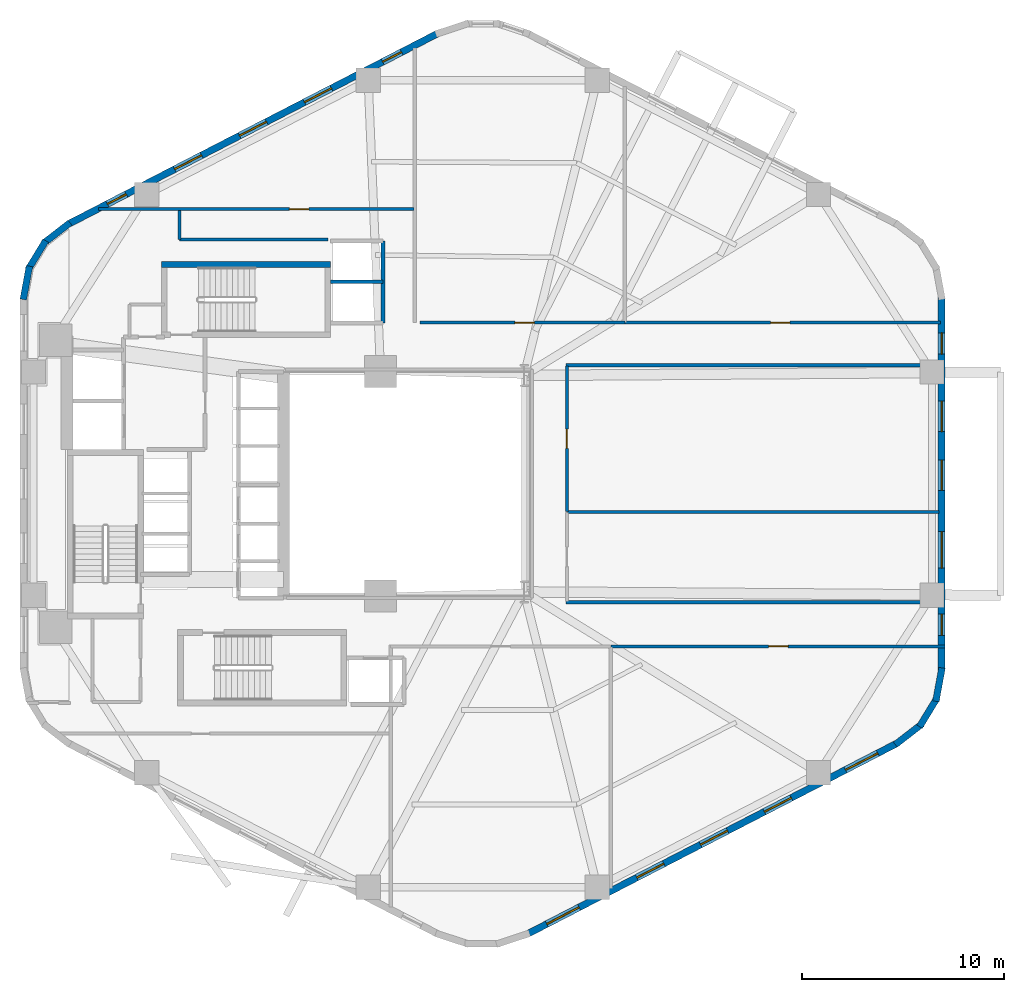
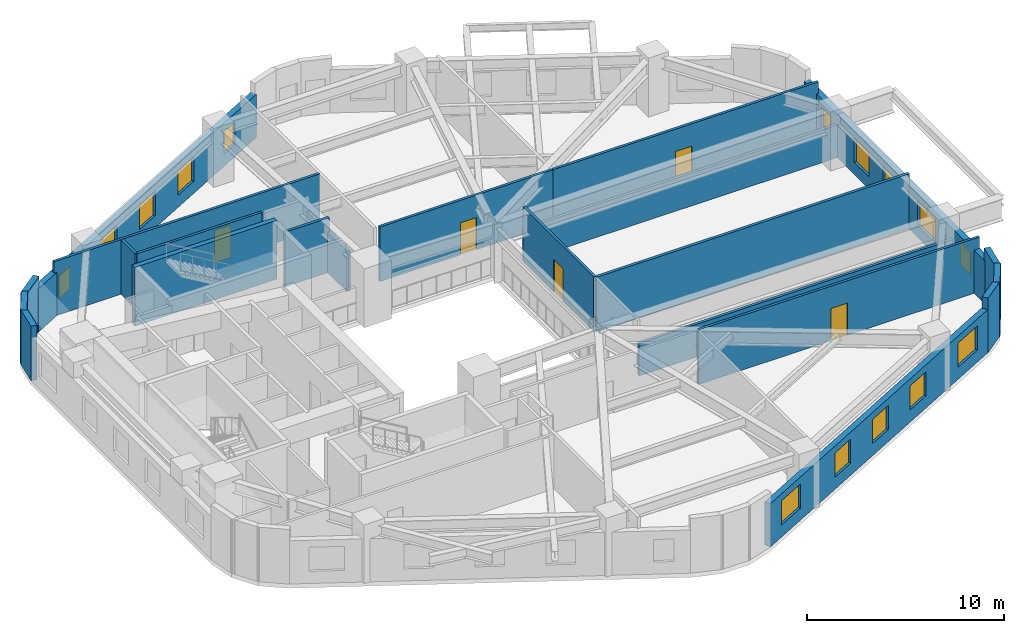
# One storey, part 4 of 6: 22 walls, 15 windows, 5 doors, 20 openings.
"""IFC4 building model written with IfcOpenShell, lengths in metres."""

from ifc_helpers import new_model, si_unit, direction, frame, frame_2d, origin, place, context, subcontext, project, spatial, rectangle, extrude, material, layer, layer_set, type_object, element, fill, save


model = new_model("IFC4")

# Units and contexts
model_context = context("Model", 3, precision=1e-05, world=origin(), true_north=direction((0.0, 1.0)))
body_context = subcontext(model_context, "Body", "Model", "MODEL_VIEW")
ifc_project = project(units=[si_unit("LENGTHUNIT", "METRE"), si_unit("AREAUNIT", "SQUARE_METRE"), si_unit("VOLUMEUNIT", "CUBIC_METRE"), si_unit("PLANEANGLEUNIT", "RADIAN"), si_unit("MASSUNIT", "GRAM", prefix="KILO"), si_unit("THERMODYNAMICTEMPERATUREUNIT", "KELVIN"), si_unit("POWERUNIT", "WATT")], contexts=[model_context])

# Site, building, storey
site_placement = place(None, origin())
site = spatial("IfcSite", under=ifc_project, at=site_placement, CompositionType="ELEMENT")
building_placement = place(site_placement, origin())
building = spatial("IfcBuilding", under=site, at=building_placement, Name="Skarre Station Tower", CompositionType="ELEMENT")
storey_placement = place(building_placement, frame((0.0, 0.0, 34.300048828125)))
storey = spatial("IfcBuildingStorey", under=building, at=storey_placement, Name="L08", CompositionType="ELEMENT", Elevation=34.300048828125)

# Wall, opening, door
ifc_material_1 = material(Name="Acoustic Steel-Stud Gypsum Partition", Category="steel")
ifc_layer_1 = layer(ifc_material_1, 0.14990234375, Name="Acoustic Steel-Stud Gypsum Partition")
ifc_layer_set_1 = layer_set([ifc_layer_1], Name="Acoustic Steel-Stud Gypsum Partition")
wall_type_1 = type_object("IfcWallType", Name="Fire-Rated Corridor Acoustic Partition 150", PredefinedType="PARTITIONING", material=ifc_layer_set_1)
wall_1_placement = place(storey_placement, frame((34.0, 37.580078125, 0.0), z_axis=(0.0, 0.0, 1.0), x_axis=(-1.0, 0.0, 0.0)))
wall_1 = element("IfcWall", 1, at=wall_1_placement, inside=storey, type_object=wall_type_1, Name="L08 Interior Partition WL-PT-L08-NWW1-CW", PredefinedType="PARTITIONING", context=body_context, shape_type="SweptSolid", body=[
    extrude(rectangle(XDim=15.60009765625, YDim=0.14990234375, at=frame_2d((7.800048828125, 0.0))), origin(), (0.0, 0.0, 1.0), 3.389892578125),
])
opening_1_placement = place(wall_1_placement, frame((5.195068359375, 0.0, 0.0)))
opening_1 = element("IfcOpeningElement", 2, at=opening_1_placement, cuts=wall_1, Name="Opening DR-FD60", PredefinedType="OPENING", context=body_context, shape_type="SweptSolid", body=[
    extrude(rectangle(XDim=0.9599609375, YDim=2.0, at=frame_2d((0.47998046875, 1.0))), frame((0.0, 0.0849609375, 0.0), z_axis=(0.0, -1.0, 0.0), x_axis=(1.0, 0.0, 0.0)), (0.0, 0.0, 1.0), 0.169921875),
])
ifc_material_2 = material(Name="Nordic White-Oak Veneer Solid-Core Fire Leaf", Category="wood")
door_type = type_object("IfcDoorType", Name="Corridor Suite Entry Fire Door FD60 960x2150", OperationType="SINGLE_SWING_LEFT", PredefinedType="DOOR", material=ifc_material_2)
door_1_placement = place(opening_1_placement, origin())
door_1 = element("IfcDoor", 3, at=door_1_placement, inside=storey, type_object=door_type, Name="L08 NWW1 Entry Door", OperationType="SINGLE_SWING_LEFT", OverallHeight=2.0, OverallWidth=0.9599609375, PredefinedType="DOOR", context=body_context, shape_type="SweptSolid", body=[
    extrude(rectangle(XDim=0.9599609375, YDim=2.0, at=frame_2d((0.47998046875, 1.0))), frame((0.0, 0.02490234375, 0.0), z_axis=(0.0, -1.0, 0.0), x_axis=(1.0, 0.0, 0.0)), (0.0, 0.0, 1.0), 0.050048828125),
])
fill(opening_1, door_1)

wall_2_placement = place(storey_placement, frame((44.427978515625, 31.9599609375, 0.0), z_axis=(0.0, 0.0, 1.0), x_axis=(-1.0, 0.0, 0.0)))
wall_2 = element("IfcWall", 4, at=wall_2_placement, inside=storey, type_object=wall_type_1, Name="L08 Interior Partition WL-PT-L08-NW1-CW", PredefinedType="PARTITIONING", context=body_context, shape_type="SweptSolid", body=[
    extrude(rectangle(XDim=10.137939453125, YDim=0.14990234375, at=frame_2d((5.06884765625, 0.0))), origin(), (0.0, 0.0, 1.0), 3.389892578125),
])
opening_2_placement = place(wall_2_placement, frame((4.469970703125, 0.0, 0.0)))
opening_2 = element("IfcOpeningElement", 5, at=opening_2_placement, cuts=wall_2, Name="Opening DR-FD60", PredefinedType="OPENING", context=body_context, shape_type="SweptSolid", body=[
    extrude(rectangle(XDim=0.9599609375, YDim=2.0, at=frame_2d((0.47998046875, 1.0))), frame((0.0, 0.0849609375, 0.0), z_axis=(0.0, -1.0, 0.0), x_axis=(1.0, 0.0, 0.0)), (0.0, 0.0, 1.0), 0.169921875),
])
door_2_placement = place(opening_2_placement, origin())
door_2 = element("IfcDoor", 6, at=door_2_placement, inside=storey, type_object=door_type, Name="L08 NW1 Entry Door", OperationType="SINGLE_SWING_LEFT", OverallHeight=2.0, OverallWidth=0.9599609375, PredefinedType="DOOR", context=body_context, shape_type="SweptSolid", body=[
    extrude(rectangle(XDim=0.9599609375, YDim=2.0, at=frame_2d((0.47998046875, 1.0))), frame((0.0, 0.02490234375, 0.0), z_axis=(0.0, -1.0, 0.0), x_axis=(1.0, 0.0, 0.0)), (0.0, 0.0, 1.0), 0.050048828125),
])
fill(opening_2, door_2)

wall_3_placement = place(storey_placement, frame((60.031982421875, 31.9599609375, 0.0), z_axis=(0.0, 0.0, 1.0), x_axis=(-1.0, 0.0, 0.0)))
wall_3 = element("IfcWall", 7, at=wall_3_placement, inside=storey, type_object=wall_type_1, Name="L08 Interior Partition WL-PT-L08-NW2-CW", PredefinedType="PARTITIONING", context=body_context, shape_type="SweptSolid", body=[
    extrude(rectangle(XDim=15.593994140625, YDim=0.14990234375, at=frame_2d((7.796875, 0.0))), origin(), (0.0, 0.0, 1.0), 3.389892578125),
])
opening_3_placement = place(wall_3_placement, frame((7.43701171875, 0.0, 0.0)))
opening_3 = element("IfcOpeningElement", 8, at=opening_3_placement, cuts=wall_3, Name="Opening DR-FD60", PredefinedType="OPENING", context=body_context, shape_type="SweptSolid", body=[
    extrude(rectangle(XDim=0.9599609375, YDim=2.0, at=frame_2d((0.47998046875, 1.0))), frame((0.0, 0.0849609375, 0.0), z_axis=(0.0, -1.0, 0.0), x_axis=(1.0, 0.0, 0.0)), (0.0, 0.0, 1.0), 0.169921875),
])
door_3_placement = place(opening_3_placement, origin())
door_3 = element("IfcDoor", 9, at=door_3_placement, inside=storey, type_object=door_type, Name="L08 NW2 Entry Door", OperationType="SINGLE_SWING_LEFT", OverallHeight=2.0, OverallWidth=0.9599609375, PredefinedType="DOOR", context=body_context, shape_type="SweptSolid", body=[
    extrude(rectangle(XDim=0.9599609375, YDim=2.0, at=frame_2d((0.47998046875, 1.0))), frame((0.0, 0.02490234375, 0.0), z_axis=(0.0, -1.0, 0.0), x_axis=(1.0, 0.0, 0.0)), (0.0, 0.0, 1.0), 0.050048828125),
])
fill(opening_3, door_3)

wall_4_placement = place(storey_placement, frame((41.56005859375, 22.62109375, 0.0), z_axis=(0.0, 0.0, 1.0), x_axis=(0.0, 1.0, 0.0)))
wall_4 = element("IfcWall", 10, at=wall_4_placement, inside=storey, type_object=wall_type_1, Name="L08 Interior Partition WL-PT-L08-EW2-CW", PredefinedType="PARTITIONING", context=body_context, shape_type="SweptSolid", body=[
    extrude(rectangle(XDim=7.198974609375, YDim=0.14990234375, at=frame_2d((3.599609375, 0.0))), origin(), (0.0, 0.0, 1.0), 3.389892578125),
])
opening_4_placement = place(wall_4_placement, frame((3.1201171875, 0.0, 0.0)))
opening_4 = element("IfcOpeningElement", 11, at=opening_4_placement, cuts=wall_4, Name="Opening DR-FD60", PredefinedType="OPENING", context=body_context, shape_type="SweptSolid", body=[
    extrude(rectangle(XDim=0.9599609375, YDim=2.0, at=frame_2d((0.47998046875, 1.0))), frame((0.0, 0.0849609375, 0.0), z_axis=(0.0, -1.0, 0.0), x_axis=(1.0, 0.0, 0.0)), (0.0, 0.0, 1.0), 0.169921875),
])
door_4_placement = place(opening_4_placement, origin())
door_4 = element("IfcDoor", 12, at=door_4_placement, inside=storey, type_object=door_type, Name="L08 EW2 Entry Door", OperationType="SINGLE_SWING_LEFT", OverallHeight=2.0, OverallWidth=0.9599609375, PredefinedType="DOOR", context=body_context, shape_type="SweptSolid", body=[
    extrude(rectangle(XDim=0.9599609375, YDim=2.0, at=frame_2d((0.47998046875, 1.0))), frame((0.0, 0.02490234375, 0.0), z_axis=(0.0, -1.0, 0.0), x_axis=(1.0, 0.0, 0.0)), (0.0, 0.0, 1.0), 0.050048828125),
])
fill(opening_4, door_4)

wall_5_placement = place(storey_placement, frame((43.7548828125, 15.9599609375, 0.0), z_axis=(0.0, 0.0, 1.0), x_axis=(1.0, 0.0, 0.0)))
wall_5 = element("IfcWall", 13, at=wall_5_placement, inside=storey, type_object=wall_type_1, Name="L08 Interior Partition WL-PT-L08-SW2-CW", PredefinedType="PARTITIONING", context=body_context, shape_type="SweptSolid", body=[
    extrude(rectangle(XDim=16.498046875, YDim=0.14990234375, at=frame_2d((8.2490234375, 0.0))), origin(), (0.0, 0.0, 1.0), 3.389892578125),
])
opening_5_placement = place(wall_5_placement, frame((7.782958984375, 0.0, 0.0)))
opening_5 = element("IfcOpeningElement", 14, at=opening_5_placement, cuts=wall_5, Name="Opening DR-FD60", PredefinedType="OPENING", context=body_context, shape_type="SweptSolid", body=[
    extrude(rectangle(XDim=0.9599609375, YDim=2.0, at=frame_2d((0.47998046875, 1.0))), frame((0.0, 0.0849609375, 0.0), z_axis=(0.0, -1.0, 0.0), x_axis=(1.0, 0.0, 0.0)), (0.0, 0.0, 1.0), 0.169921875),
])
door_5_placement = place(opening_5_placement, origin())
door_5 = element("IfcDoor", 15, at=door_5_placement, inside=storey, type_object=door_type, Name="L08 SW2 Entry Door", OperationType="SINGLE_SWING_LEFT", OverallHeight=2.0, OverallWidth=0.9599609375, PredefinedType="DOOR", context=body_context, shape_type="SweptSolid", body=[
    extrude(rectangle(XDim=0.9599609375, YDim=2.0, at=frame_2d((0.47998046875, 1.0))), frame((0.0, 0.02490234375, 0.0), z_axis=(0.0, -1.0, 0.0), x_axis=(1.0, 0.0, 0.0)), (0.0, 0.0, 1.0), 0.050048828125),
])
fill(opening_5, door_5)

# Walls
wall_6_placement = place(storey_placement, frame((29.7529296875, 36.080078125, 0.0), z_axis=(0.0, 0.0, 1.0), x_axis=(-1.0, 0.0, 0.0)))
element("IfcWall", 16, at=wall_6_placement, inside=storey, type_object=wall_type_1, Name="L08 Interior Partition WL-PT-L08-CSEAL-1", PredefinedType="PARTITIONING", context=body_context, shape_type="SweptSolid", body=[
    extrude(rectangle(XDim=7.35302734375, YDim=0.14990234375, at=frame_2d((3.676513671875, 0.0))), origin(), (0.0, 0.0, 1.0), 3.389892578125),
])
wall_7_placement = place(storey_placement, frame((22.39990234375, 36.080078125, 0.0), z_axis=(0.0, 0.0, 1.0), x_axis=(0.0, 1.0, 0.0)))
element("IfcWall", 17, at=wall_7_placement, inside=storey, type_object=wall_type_1, Name="L08 Interior Partition WL-PT-L08-CSEAL-2", PredefinedType="PARTITIONING", context=body_context, shape_type="SweptSolid", body=[
    extrude(rectangle(XDim=1.429931640625, YDim=0.14990234375, at=frame_2d((0.71484375, 0.0))), origin(), (0.0, 0.0, 1.0), 3.389892578125),
])

# Wall, openings, windows
ifc_material_3 = material(Name="Precast concrete C45/55", Category="concrete")
ifc_layer_2 = layer(ifc_material_3, 0.340087890625, Name="Precast concrete C45/55")
ifc_layer_set_2 = layer_set([ifc_layer_2], Name="Precast concrete C45/55")
wall_type_2 = type_object("IfcWallType", Name="Nordic Honed Precast Facet Wall 340", PredefinedType="STANDARD", material=ifc_layer_set_2)
wall_8_placement = place(storey_placement, frame((16.924072265625, 36.841064453125, 0.0), z_axis=(0.0, 0.0, 1.0), x_axis=(0.888634413993, 0.458616264721, 0.0)))
wall_8 = element("IfcWall", 18, at=wall_8_placement, inside=storey, type_object=wall_type_2, Name="L08 Facet 1 Nordic Precast Masonry Wall", PredefinedType="STANDARD", context=body_context, shape_type="SweptSolid", body=[
    extrude(rectangle(XDim=20.53125, YDim=0.340087890625, at=frame_2d((10.265625, 0.0))), origin(), (0.0, 0.0, 1.0), 2.683837890625),
])
opening_6_placement = place(wall_8_placement, frame((2.160888671875, 0.0, 0.75)))
opening_6 = element("IfcOpeningElement", 19, at=opening_6_placement, cuts=wall_8, Name="Opening WN-SLT", PredefinedType="OPENING", context=body_context, shape_type="SweptSolid", body=[
    extrude(rectangle(XDim=1.050048828125, YDim=1.39990234375, at=frame_2d((0.52490234375, 0.699951171875))), frame((0.0, 0.179931640625, 0.0), z_axis=(0.0, -1.0, 0.0), x_axis=(1.0, 0.0, 0.0)), (0.0, 0.0, 1.0), 0.360107421875),
])
opening_7_placement = place(wall_8_placement, frame((5.903076171875, 0.0, 0.75)))
opening_7 = element("IfcOpeningElement", 20, at=opening_7_placement, cuts=wall_8, Name="Opening WN-Z1B", PredefinedType="OPENING", context=body_context, shape_type="SweptSolid", body=[
    extrude(rectangle(XDim=1.5, YDim=1.5, at=frame_2d((0.75, 0.75))), frame((0.0, 0.179931640625, 0.0), z_axis=(0.0, -1.0, 0.0), x_axis=(1.0, 0.0, 0.0)), (0.0, 0.0, 1.0), 0.360107421875),
])
opening_8_placement = place(wall_8_placement, frame((9.51611328125, 0.0, 0.75)))
opening_8 = element("IfcOpeningElement", 21, at=opening_8_placement, cuts=wall_8, Name="Opening WN-Z1B", PredefinedType="OPENING", context=body_context, shape_type="SweptSolid", body=[
    extrude(rectangle(XDim=1.5, YDim=1.5, at=frame_2d((0.75, 0.75))), frame((0.0, 0.179931640625, 0.0), z_axis=(0.0, -1.0, 0.0), x_axis=(1.0, 0.0, 0.0)), (0.0, 0.0, 1.0), 0.360107421875),
])
opening_9_placement = place(wall_8_placement, frame((13.12890625, 0.0, 0.75)))
opening_9 = element("IfcOpeningElement", 22, at=opening_9_placement, cuts=wall_8, Name="Opening WN-Z1B", PredefinedType="OPENING", context=body_context, shape_type="SweptSolid", body=[
    extrude(rectangle(XDim=1.5, YDim=1.5, at=frame_2d((0.75, 0.75))), frame((0.0, 0.179931640625, 0.0), z_axis=(0.0, -1.0, 0.0), x_axis=(1.0, 0.0, 0.0)), (0.0, 0.0, 1.0), 0.360107421875),
])
opening_10_placement = place(wall_8_placement, frame((17.47607421875, 0.0, 0.75)))
opening_10 = element("IfcOpeningElement", 23, at=opening_10_placement, cuts=wall_8, Name="Opening WN-SLT", PredefinedType="OPENING", context=body_context, shape_type="SweptSolid", body=[
    extrude(rectangle(XDim=1.050048828125, YDim=1.39990234375, at=frame_2d((0.52490234375, 0.699951171875))), frame((0.0, 0.179931640625, 0.0), z_axis=(0.0, -1.0, 0.0), x_axis=(1.0, 0.0, 0.0)), (0.0, 0.0, 1.0), 0.360107421875),
])
ifc_material_4 = material(Name="Low-Iron Triple Glazing with Bronze Anodized Frame", Category="glass")
window_type_1 = type_object("IfcWindowType", Name="Nordic Corner Slot Window 1050x1400", PartitioningType="SINGLE_PANEL", PredefinedType="WINDOW", material=ifc_material_4)
window_1_placement = place(opening_6_placement, origin())
window_1 = element("IfcWindow", 24, at=window_1_placement, inside=storey, type_object=window_type_1, Name="L08 Facade Window WL-FAC-L08-F1-1", OverallHeight=1.39990234375, OverallWidth=1.050048828125, PartitioningType="SINGLE_PANEL", PredefinedType="WINDOW", context=body_context, shape_type="SweptSolid", body=[
    extrude(rectangle(XDim=1.050048828125, YDim=1.39990234375, at=frame_2d((0.52490234375, 0.699951171875))), frame((0.0, 0.030029296875, 0.0), z_axis=(0.0, -1.0, 0.0), x_axis=(1.0, 0.0, 0.0)), (0.0, 0.0, 1.0), 0.06005859375),
])
fill(opening_6, window_1)
window_2_placement = place(opening_10_placement, origin())
window_2 = element("IfcWindow", 25, at=window_2_placement, inside=storey, type_object=window_type_1, Name="L08 Facade Window WL-FAC-L08-F1-5", OverallHeight=1.39990234375, OverallWidth=1.050048828125, PartitioningType="SINGLE_PANEL", PredefinedType="WINDOW", context=body_context, shape_type="SweptSolid", body=[
    extrude(rectangle(XDim=1.050048828125, YDim=1.39990234375, at=frame_2d((0.52490234375, 0.699951171875))), frame((0.0, 0.030029296875, 0.0), z_axis=(0.0, -1.0, 0.0), x_axis=(1.0, 0.0, 0.0)), (0.0, 0.0, 1.0), 0.06005859375),
])
fill(opening_10, window_2)
window_type_2 = type_object("IfcWindowType", Name="Nordic Punched Triple-Glazed Window 1500x1500", PartitioningType="SINGLE_PANEL", PredefinedType="WINDOW", material=ifc_material_4)
window_3_placement = place(opening_7_placement, origin())
window_3 = element("IfcWindow", 26, at=window_3_placement, inside=storey, type_object=window_type_2, Name="L08 Facade Window WL-FAC-L08-F1-2", OverallHeight=1.5, OverallWidth=1.5, PartitioningType="SINGLE_PANEL", PredefinedType="WINDOW", context=body_context, shape_type="SweptSolid", body=[
    extrude(rectangle(XDim=1.5, YDim=1.5, at=frame_2d((0.75, 0.75))), frame((0.0, 0.030029296875, 0.0), z_axis=(0.0, -1.0, 0.0), x_axis=(1.0, 0.0, 0.0)), (0.0, 0.0, 1.0), 0.06005859375),
])
fill(opening_7, window_3)
window_4_placement = place(opening_8_placement, origin())
window_4 = element("IfcWindow", 27, at=window_4_placement, inside=storey, type_object=window_type_2, Name="L08 Facade Window WL-FAC-L08-F1-3", OverallHeight=1.5, OverallWidth=1.5, PartitioningType="SINGLE_PANEL", PredefinedType="WINDOW", context=body_context, shape_type="SweptSolid", body=[
    extrude(rectangle(XDim=1.5, YDim=1.5, at=frame_2d((0.75, 0.75))), frame((0.0, 0.030029296875, 0.0), z_axis=(0.0, -1.0, 0.0), x_axis=(1.0, 0.0, 0.0)), (0.0, 0.0, 1.0), 0.06005859375),
])
fill(opening_8, window_4)
window_5_placement = place(opening_9_placement, origin())
window_5 = element("IfcWindow", 28, at=window_5_placement, inside=storey, type_object=window_type_2, Name="L08 Facade Window WL-FAC-L08-F1-4", OverallHeight=1.5, OverallWidth=1.5, PartitioningType="SINGLE_PANEL", PredefinedType="WINDOW", context=body_context, shape_type="SweptSolid", body=[
    extrude(rectangle(XDim=1.5, YDim=1.5, at=frame_2d((0.75, 0.75))), frame((0.0, 0.030029296875, 0.0), z_axis=(0.0, -1.0, 0.0), x_axis=(1.0, 0.0, 0.0)), (0.0, 0.0, 1.0), 0.06005859375),
])
fill(opening_9, window_5)

wall_9_placement = place(storey_placement, frame((57.8759765625, 11.158935546875, 0.0), z_axis=(0.0, 0.0, 1.0), x_axis=(-0.888634413993, -0.458616264721, 0.0)))
wall_9 = element("IfcWall", 29, at=wall_9_placement, inside=storey, type_object=wall_type_2, Name="L08 Facet 4 Nordic Precast Masonry Wall", PredefinedType="STANDARD", context=body_context, shape_type="SweptSolid", body=[
    extrude(rectangle(XDim=20.53125, YDim=0.340087890625, at=frame_2d((10.265625, 0.0))), origin(), (0.0, 0.0, 1.0), 2.683837890625),
])
opening_11_placement = place(wall_9_placement, frame((1.05810546875, 0.0, 0.75)))
opening_11 = element("IfcOpeningElement", 30, at=opening_11_placement, cuts=wall_9, Name="Opening WN-Z1A", PredefinedType="OPENING", context=body_context, shape_type="SweptSolid", body=[
    extrude(rectangle(XDim=1.800048828125, YDim=1.5, at=frame_2d((0.89990234375, 0.75))), frame((0.0, 0.179931640625, 0.0), z_axis=(0.0, -1.0, 0.0), x_axis=(1.0, 0.0, 0.0)), (0.0, 0.0, 1.0), 0.360107421875),
])
opening_12_placement = place(wall_9_placement, frame((5.8701171875, 0.0, 0.75)))
opening_12 = element("IfcOpeningElement", 31, at=opening_12_placement, cuts=wall_9, Name="Opening WN-Z1B", PredefinedType="OPENING", context=body_context, shape_type="SweptSolid", body=[
    extrude(rectangle(XDim=1.5, YDim=1.5, at=frame_2d((0.75, 0.75))), frame((0.0, 0.179931640625, 0.0), z_axis=(0.0, -1.0, 0.0), x_axis=(1.0, 0.0, 0.0)), (0.0, 0.0, 1.0), 0.360107421875),
])
opening_13_placement = place(wall_9_placement, frame((9.416015625, 0.0, 0.75)))
opening_13 = element("IfcOpeningElement", 32, at=opening_13_placement, cuts=wall_9, Name="Opening WN-Z1B", PredefinedType="OPENING", context=body_context, shape_type="SweptSolid", body=[
    extrude(rectangle(XDim=1.5, YDim=1.5, at=frame_2d((0.75, 0.75))), frame((0.0, 0.179931640625, 0.0), z_axis=(0.0, -1.0, 0.0), x_axis=(1.0, 0.0, 0.0)), (0.0, 0.0, 1.0), 0.360107421875),
])
opening_14_placement = place(wall_9_placement, frame((12.962890625, 0.0, 0.75)))
opening_14 = element("IfcOpeningElement", 33, at=opening_14_placement, cuts=wall_9, Name="Opening WN-Z1B", PredefinedType="OPENING", context=body_context, shape_type="SweptSolid", body=[
    extrude(rectangle(XDim=1.5, YDim=1.5, at=frame_2d((0.75, 0.75))), frame((0.0, 0.179931640625, 0.0), z_axis=(0.0, -1.0, 0.0), x_axis=(1.0, 0.0, 0.0)), (0.0, 0.0, 1.0), 0.360107421875),
])
opening_15_placement = place(wall_9_placement, frame((17.673095703125, 0.0, 0.75)))
opening_15 = element("IfcOpeningElement", 34, at=opening_15_placement, cuts=wall_9, Name="Opening WN-Z1A", PredefinedType="OPENING", context=body_context, shape_type="SweptSolid", body=[
    extrude(rectangle(XDim=1.800048828125, YDim=1.5, at=frame_2d((0.89990234375, 0.75))), frame((0.0, 0.179931640625, 0.0), z_axis=(0.0, -1.0, 0.0), x_axis=(1.0, 0.0, 0.0)), (0.0, 0.0, 1.0), 0.360107421875),
])
window_6_placement = place(opening_12_placement, origin())
window_6 = element("IfcWindow", 35, at=window_6_placement, inside=storey, type_object=window_type_2, Name="L08 Facade Window WL-FAC-L08-F4-2", OverallHeight=1.5, OverallWidth=1.5, PartitioningType="SINGLE_PANEL", PredefinedType="WINDOW", context=body_context, shape_type="SweptSolid", body=[
    extrude(rectangle(XDim=1.5, YDim=1.5, at=frame_2d((0.75, 0.75))), frame((0.0, 0.030029296875, 0.0), z_axis=(0.0, -1.0, 0.0), x_axis=(1.0, 0.0, 0.0)), (0.0, 0.0, 1.0), 0.06005859375),
])
fill(opening_12, window_6)
window_7_placement = place(opening_13_placement, origin())
window_7 = element("IfcWindow", 36, at=window_7_placement, inside=storey, type_object=window_type_2, Name="L08 Facade Window WL-FAC-L08-F4-3", OverallHeight=1.5, OverallWidth=1.5, PartitioningType="SINGLE_PANEL", PredefinedType="WINDOW", context=body_context, shape_type="SweptSolid", body=[
    extrude(rectangle(XDim=1.5, YDim=1.5, at=frame_2d((0.75, 0.75))), frame((0.0, 0.030029296875, 0.0), z_axis=(0.0, -1.0, 0.0), x_axis=(1.0, 0.0, 0.0)), (0.0, 0.0, 1.0), 0.06005859375),
])
fill(opening_13, window_7)
window_8_placement = place(opening_14_placement, origin())
window_8 = element("IfcWindow", 37, at=window_8_placement, inside=storey, type_object=window_type_2, Name="L08 Facade Window WL-FAC-L08-F4-4", OverallHeight=1.5, OverallWidth=1.5, PartitioningType="SINGLE_PANEL", PredefinedType="WINDOW", context=body_context, shape_type="SweptSolid", body=[
    extrude(rectangle(XDim=1.5, YDim=1.5, at=frame_2d((0.75, 0.75))), frame((0.0, 0.030029296875, 0.0), z_axis=(0.0, -1.0, 0.0), x_axis=(1.0, 0.0, 0.0)), (0.0, 0.0, 1.0), 0.06005859375),
])
fill(opening_14, window_8)
window_type_3 = type_object("IfcWindowType", Name="Nordic Punched Triple-Glazed Window 1800x1500", PartitioningType="SINGLE_PANEL", PredefinedType="WINDOW", material=ifc_material_4)
window_9_placement = place(opening_11_placement, origin())
window_9 = element("IfcWindow", 38, at=window_9_placement, inside=storey, type_object=window_type_3, Name="L08 Facade Window WL-FAC-L08-F4-1", OverallHeight=1.5, OverallWidth=1.800048828125, PartitioningType="SINGLE_PANEL", PredefinedType="WINDOW", context=body_context, shape_type="SweptSolid", body=[
    extrude(rectangle(XDim=1.800048828125, YDim=1.5, at=frame_2d((0.89990234375, 0.75))), frame((0.0, 0.030029296875, 0.0), z_axis=(0.0, -1.0, 0.0), x_axis=(1.0, 0.0, 0.0)), (0.0, 0.0, 1.0), 0.06005859375),
])
fill(opening_11, window_9)
window_10_placement = place(opening_15_placement, origin())
window_10 = element("IfcWindow", 39, at=window_10_placement, inside=storey, type_object=window_type_3, Name="L08 Facade Window WL-FAC-L08-F4-5", OverallHeight=1.5, OverallWidth=1.800048828125, PartitioningType="SINGLE_PANEL", PredefinedType="WINDOW", context=body_context, shape_type="SweptSolid", body=[
    extrude(rectangle(XDim=1.800048828125, YDim=1.5, at=frame_2d((0.89990234375, 0.75))), frame((0.0, 0.030029296875, 0.0), z_axis=(0.0, -1.0, 0.0), x_axis=(1.0, 0.0, 0.0)), (0.0, 0.0, 1.0), 0.06005859375),
])
fill(opening_15, window_10)

wall_10_placement = place(storey_placement, frame((60.093017578125, 33.201904296875, 0.0), z_axis=(0.0, 0.0, 1.0), x_axis=(0.0, -1.0, 0.0)))
wall_10 = element("IfcWall", 40, at=wall_10_placement, inside=storey, type_object=wall_type_2, Name="L08 Facet 5 Nordic Precast Masonry Wall", PredefinedType="STANDARD", context=body_context, shape_type="SweptSolid", body=[
    extrude(rectangle(XDim=18.40380859375, YDim=0.340087890625, at=frame_2d((9.201904296875, 0.0))), origin(), (0.0, 0.0, 1.0), 2.683837890625),
])
opening_16_placement = place(wall_10_placement, frame((1.743896484375, 0.0, 0.75)))
opening_16 = element("IfcOpeningElement", 41, at=opening_16_placement, cuts=wall_10, Name="Opening WN-SLT", PredefinedType="OPENING", context=body_context, shape_type="SweptSolid", body=[
    extrude(rectangle(XDim=1.050048828125, YDim=1.39990234375, at=frame_2d((0.52490234375, 0.699951171875))), frame((0.0, 0.179931640625, 0.0), z_axis=(0.0, -1.0, 0.0), x_axis=(1.0, 0.0, 0.0)), (0.0, 0.0, 1.0), 0.360107421875),
])
opening_17_placement = place(wall_10_placement, frame((5.125, 0.0, 0.75)))
opening_17 = element("IfcOpeningElement", 42, at=opening_17_placement, cuts=wall_10, Name="Opening WN-Z1B", PredefinedType="OPENING", context=body_context, shape_type="SweptSolid", body=[
    extrude(rectangle(XDim=1.5, YDim=1.5, at=frame_2d((0.75, 0.75))), frame((0.0, 0.179931640625, 0.0), z_axis=(0.0, -1.0, 0.0), x_axis=(1.0, 0.0, 0.0)), (0.0, 0.0, 1.0), 0.360107421875),
])
opening_18_placement = place(wall_10_placement, frame((8.032958984375, 0.0, 0.75)))
opening_18 = element("IfcOpeningElement", 43, at=opening_18_placement, cuts=wall_10, Name="Opening WN-Z1B", PredefinedType="OPENING", context=body_context, shape_type="SweptSolid", body=[
    extrude(rectangle(XDim=1.5, YDim=1.5, at=frame_2d((0.75, 0.75))), frame((0.0, 0.179931640625, 0.0), z_axis=(0.0, -1.0, 0.0), x_axis=(1.0, 0.0, 0.0)), (0.0, 0.0, 1.0), 0.360107421875),
])
opening_19_placement = place(wall_10_placement, frame((11.572021484375, 0.0, 0.75)))
opening_19 = element("IfcOpeningElement", 44, at=opening_19_placement, cuts=wall_10, Name="Opening WN-Z1A", PredefinedType="OPENING", context=body_context, shape_type="SweptSolid", body=[
    extrude(rectangle(XDim=1.800048828125, YDim=1.5, at=frame_2d((0.89990234375, 0.75))), frame((0.0, 0.179931640625, 0.0), z_axis=(0.0, -1.0, 0.0), x_axis=(1.0, 0.0, 0.0)), (0.0, 0.0, 1.0), 0.360107421875),
])
opening_20_placement = place(wall_10_placement, frame((15.64990234375, 0.0, 0.75)))
opening_20 = element("IfcOpeningElement", 45, at=opening_20_placement, cuts=wall_10, Name="Opening WN-SLT", PredefinedType="OPENING", context=body_context, shape_type="SweptSolid", body=[
    extrude(rectangle(XDim=1.050048828125, YDim=1.39990234375, at=frame_2d((0.52490234375, 0.699951171875))), frame((0.0, 0.179931640625, 0.0), z_axis=(0.0, -1.0, 0.0), x_axis=(1.0, 0.0, 0.0)), (0.0, 0.0, 1.0), 0.360107421875),
])
window_11_placement = place(opening_16_placement, origin())
window_11 = element("IfcWindow", 46, at=window_11_placement, inside=storey, type_object=window_type_1, Name="L08 Facade Window WL-FAC-L08-F5-1", OverallHeight=1.39990234375, OverallWidth=1.050048828125, PartitioningType="SINGLE_PANEL", PredefinedType="WINDOW", context=body_context, shape_type="SweptSolid", body=[
    extrude(rectangle(XDim=1.050048828125, YDim=1.39990234375, at=frame_2d((0.52490234375, 0.699951171875))), frame((0.0, 0.030029296875, 0.0), z_axis=(0.0, -1.0, 0.0), x_axis=(1.0, 0.0, 0.0)), (0.0, 0.0, 1.0), 0.06005859375),
])
fill(opening_16, window_11)
window_12_placement = place(opening_20_placement, origin())
window_12 = element("IfcWindow", 47, at=window_12_placement, inside=storey, type_object=window_type_1, Name="L08 Facade Window WL-FAC-L08-F5-5", OverallHeight=1.39990234375, OverallWidth=1.050048828125, PartitioningType="SINGLE_PANEL", PredefinedType="WINDOW", context=body_context, shape_type="SweptSolid", body=[
    extrude(rectangle(XDim=1.050048828125, YDim=1.39990234375, at=frame_2d((0.52490234375, 0.699951171875))), frame((0.0, 0.030029296875, 0.0), z_axis=(0.0, -1.0, 0.0), x_axis=(1.0, 0.0, 0.0)), (0.0, 0.0, 1.0), 0.06005859375),
])
fill(opening_20, window_12)
window_13_placement = place(opening_17_placement, origin())
window_13 = element("IfcWindow", 48, at=window_13_placement, inside=storey, type_object=window_type_2, Name="L08 Facade Window WL-FAC-L08-F5-2", OverallHeight=1.5, OverallWidth=1.5, PartitioningType="SINGLE_PANEL", PredefinedType="WINDOW", context=body_context, shape_type="SweptSolid", body=[
    extrude(rectangle(XDim=1.5, YDim=1.5, at=frame_2d((0.75, 0.75))), frame((0.0, 0.030029296875, 0.0), z_axis=(0.0, -1.0, 0.0), x_axis=(1.0, 0.0, 0.0)), (0.0, 0.0, 1.0), 0.06005859375),
])
fill(opening_17, window_13)
window_14_placement = place(opening_18_placement, origin())
window_14 = element("IfcWindow", 49, at=window_14_placement, inside=storey, type_object=window_type_2, Name="L08 Facade Window WL-FAC-L08-F5-3", OverallHeight=1.5, OverallWidth=1.5, PartitioningType="SINGLE_PANEL", PredefinedType="WINDOW", context=body_context, shape_type="SweptSolid", body=[
    extrude(rectangle(XDim=1.5, YDim=1.5, at=frame_2d((0.75, 0.75))), frame((0.0, 0.030029296875, 0.0), z_axis=(0.0, -1.0, 0.0), x_axis=(1.0, 0.0, 0.0)), (0.0, 0.0, 1.0), 0.06005859375),
])
fill(opening_18, window_14)
window_15_placement = place(opening_19_placement, origin())
window_15 = element("IfcWindow", 50, at=window_15_placement, inside=storey, type_object=window_type_3, Name="L08 Facade Window WL-FAC-L08-F5-4", OverallHeight=1.5, OverallWidth=1.800048828125, PartitioningType="SINGLE_PANEL", PredefinedType="WINDOW", context=body_context, shape_type="SweptSolid", body=[
    extrude(rectangle(XDim=1.800048828125, YDim=1.5, at=frame_2d((0.89990234375, 0.75))), frame((0.0, 0.030029296875, 0.0), z_axis=(0.0, -1.0, 0.0), x_axis=(1.0, 0.0, 0.0)), (0.0, 0.0, 1.0), 0.06005859375),
])
fill(opening_19, window_15)

# Walls
ifc_layer_3 = layer(ifc_material_3, 0.330078125, Name="Precast concrete C45/55")
ifc_layer_set_3 = layer_set([ifc_layer_3], Name="Precast concrete C45/55")
wall_type_3 = type_object("IfcWallType", Name="Nordic Rounded Corner Precast Wall 330", PredefinedType="STANDARD", material=ifc_layer_set_3)
wall_11_placement = place(storey_placement, frame((14.68701171875, 33.10791015625, 0.0), z_axis=(0.0, 0.0, 1.0), x_axis=(0.181714143354, 0.983351397063, 0.0)))
element("IfcWall", 51, at=wall_11_placement, inside=storey, type_object=wall_type_3, Name="L08 Rounded Corner Precast Wall F2-1", PredefinedType="STANDARD", context=body_context, shape_type="SweptSolid", body=[
    extrude(rectangle(XDim=1.677978515625, YDim=0.330078125, at=frame_2d((0.8388671875, 0.0))), origin(), (0.0, 0.0, 1.0), 3.389892578125),
])
wall_12_placement = place(storey_placement, frame((14.925048828125, 34.5830078125, 0.0), z_axis=(0.0, 0.0, 1.0), x_axis=(0.520584129191, 0.853810379671, 0.0)))
element("IfcWall", 52, at=wall_12_placement, inside=storey, type_object=wall_type_3, Name="L08 Rounded Corner Precast Wall F2-2", PredefinedType="STANDARD", context=body_context, shape_type="SweptSolid", body=[
    extrude(rectangle(XDim=1.677001953125, YDim=0.330078125, at=frame_2d((0.83837890625, 0.0))), origin(), (0.0, 0.0, 1.0), 3.389892578125),
])
wall_13_placement = place(storey_placement, frame((15.673095703125, 35.875, 0.0), z_axis=(0.0, 0.0, 1.0), x_axis=(0.790691856293, 0.61221433207, 0.0)))
element("IfcWall", 53, at=wall_13_placement, inside=storey, type_object=wall_type_3, Name="L08 Rounded Corner Precast Wall F2-3", PredefinedType="STANDARD", context=body_context, shape_type="SweptSolid", body=[
    extrude(rectangle(XDim=1.67578125, YDim=0.330078125, at=frame_2d((0.837890625, 0.0))), origin(), (0.0, 0.0, 1.0), 3.389892578125),
])
wall_14_placement = place(storey_placement, frame((60.113037109375, 14.89208984375, 0.0), z_axis=(0.0, 0.0, 1.0), x_axis=(-0.181714143354, -0.983351397063, 0.0)))
element("IfcWall", 54, at=wall_14_placement, inside=storey, type_object=wall_type_3, Name="L08 Rounded Corner Precast Wall F5-1", PredefinedType="STANDARD", context=body_context, shape_type="SweptSolid", body=[
    extrude(rectangle(XDim=1.677978515625, YDim=0.330078125, at=frame_2d((0.8388671875, 0.0))), origin(), (0.0, 0.0, 1.0), 3.389892578125),
])
wall_15_placement = place(storey_placement, frame((59.875, 13.4169921875, 0.0), z_axis=(0.0, 0.0, 1.0), x_axis=(-0.520584129191, -0.853810379671, 0.0)))
element("IfcWall", 55, at=wall_15_placement, inside=storey, type_object=wall_type_3, Name="L08 Rounded Corner Precast Wall F5-2", PredefinedType="STANDARD", context=body_context, shape_type="SweptSolid", body=[
    extrude(rectangle(XDim=1.677001953125, YDim=0.330078125, at=frame_2d((0.83837890625, 0.0))), origin(), (0.0, 0.0, 1.0), 3.389892578125),
])
wall_16_placement = place(storey_placement, frame((59.126953125, 12.125, 0.0), z_axis=(0.0, 0.0, 1.0), x_axis=(-0.790691856293, -0.61221433207, 0.0)))
element("IfcWall", 56, at=wall_16_placement, inside=storey, type_object=wall_type_3, Name="L08 Rounded Corner Precast Wall F5-3", PredefinedType="STANDARD", context=body_context, shape_type="SweptSolid", body=[
    extrude(rectangle(XDim=1.67578125, YDim=0.330078125, at=frame_2d((0.837890625, 0.0))), origin(), (0.0, 0.0, 1.0), 3.389892578125),
])
ifc_material_5 = material(Name="Concrete C50/60", Category="concrete")
ifc_layer_4 = layer(ifc_material_5, 0.280029296875, Name="Concrete C50/60")
ifc_layer_set_4 = layer_set([ifc_layer_4], Name="Concrete C50/60")
wall_type_4 = type_object("IfcWallType", Name="RC Core Shear Wall 280", PredefinedType="SHEAR", material=ifc_layer_set_4)
wall_17_placement = place(storey_placement, frame((29.8798828125, 34.840087890625, 0.0), z_axis=(0.0, 0.0, 1.0), x_axis=(-1.0, 0.0, 0.0)))
element("IfcWall", 57, at=wall_17_placement, inside=storey, type_object=wall_type_4, Name="L08 Stair ST-3 North Shear Wall", PredefinedType="SHEAR", context=body_context, shape_type="SweptSolid", body=[
    extrude(rectangle(XDim=8.35986328125, YDim=0.280029296875, at=frame_2d((4.179931640625, 0.0))), origin(), (0.0, 0.0, 1.0), 3.64990234375),
])
ifc_material_6 = material(Name="Gypsum Concrete Shaft Assembly C30/37", Category="concrete")
ifc_layer_5 = layer(ifc_material_6, 0.199951171875, Name="Gypsum Concrete Shaft Assembly C30/37")
ifc_layer_set_5 = layer_set([ifc_layer_5], Name="Gypsum Concrete Shaft Assembly C30/37")
wall_type_5 = type_object("IfcWallType", Name="Shaft & Core Fire Partition 200", PredefinedType="PARTITIONING", material=ifc_layer_set_5)
wall_18_placement = place(storey_placement, frame((32.47998046875, 31.949951171875, 0.0), z_axis=(0.0, 0.0, 1.0), x_axis=(0.0, 1.0, 0.0)))
element("IfcWall", 58, at=wall_18_placement, inside=storey, type_object=wall_type_5, Name="L08 Interior Partition WL-PT-L08-EX-E", PredefinedType="PARTITIONING", context=body_context, shape_type="SweptSolid", body=[
    extrude(rectangle(XDim=4.050048828125, YDim=0.199951171875, at=frame_2d((2.02490234375, 0.0))), origin(), (0.0, 0.0, 1.0), 2.512939453125),
])
wall_19_placement = place(storey_placement, frame((29.875, 33.97998046875, 0.0), z_axis=(0.0, 0.0, 1.0), x_axis=(1.0, 0.0, 0.0)))
element("IfcWall", 59, at=wall_19_placement, inside=storey, type_object=wall_type_5, Name="L08 Interior Partition WL-PT-L08-EX-DIV", PredefinedType="PARTITIONING", context=body_context, shape_type="SweptSolid", body=[
    extrude(rectangle(XDim=2.60498046875, YDim=0.159912109375, at=frame_2d((1.302490234375, 0.0))), origin(), (0.0, 0.0, 1.0), 3.389892578125),
])
ifc_layer_6 = layer(ifc_material_1, 0.1650390625, Name="Acoustic Steel-Stud Gypsum Partition")
ifc_layer_set_6 = layer_set([ifc_layer_6], Name="Acoustic Steel-Stud Gypsum Partition")
wall_type_6 = type_object("IfcWallType", Name="Suite Demising Acoustic Partition 165", PredefinedType="PARTITIONING", material=ifc_layer_set_6)
for number, where, z_axis, x_axis, name in (
    (60, (41.52001953125, 18.139892578125, 0.0), (0.0, 0.0, 1.0), (1.0, 0.0, 0.0), "L08 Interior Partition WL-PT-L08-EWB-S"),
    (61, (41.52001953125, 29.860107421875, 0.0), (0.0, 0.0, 1.0), (1.0, 0.0, 0.0), "L08 Interior Partition WL-PT-L08-EWB-N"),
):
    element("IfcWall", number, at=place(storey_placement, frame(where, z_axis=z_axis, x_axis=x_axis)), inside=storey, type_object=wall_type_6, Name=name, PredefinedType="PARTITIONING", context=body_context, shape_type="SweptSolid", body=[
        extrude(rectangle(XDim=18.452880859375, YDim=0.1650390625, at=frame_2d((9.2265625, 0.0))), origin(), (0.0, 0.0, 1.0), 2.030029296875),
    ])
wall_20_placement = place(storey_placement, frame((41.590087890625, 22.60302734375, 0.0), z_axis=(0.0, 0.0, 1.0), x_axis=(1.0, 0.0, 0.0)))
element("IfcWall", 62, at=wall_20_placement, inside=storey, type_object=wall_type_6, Name="L08 Interior Partition WL-PT-L08-EW-P1", PredefinedType="PARTITIONING", context=body_context, shape_type="SweptSolid", body=[
    extrude(rectangle(XDim=18.3828125, YDim=0.1650390625, at=frame_2d((9.19140625, 0.0))), origin(), (0.0, 0.0, 1.0), 3.389892578125),
])

save(model, "model.ifc")
